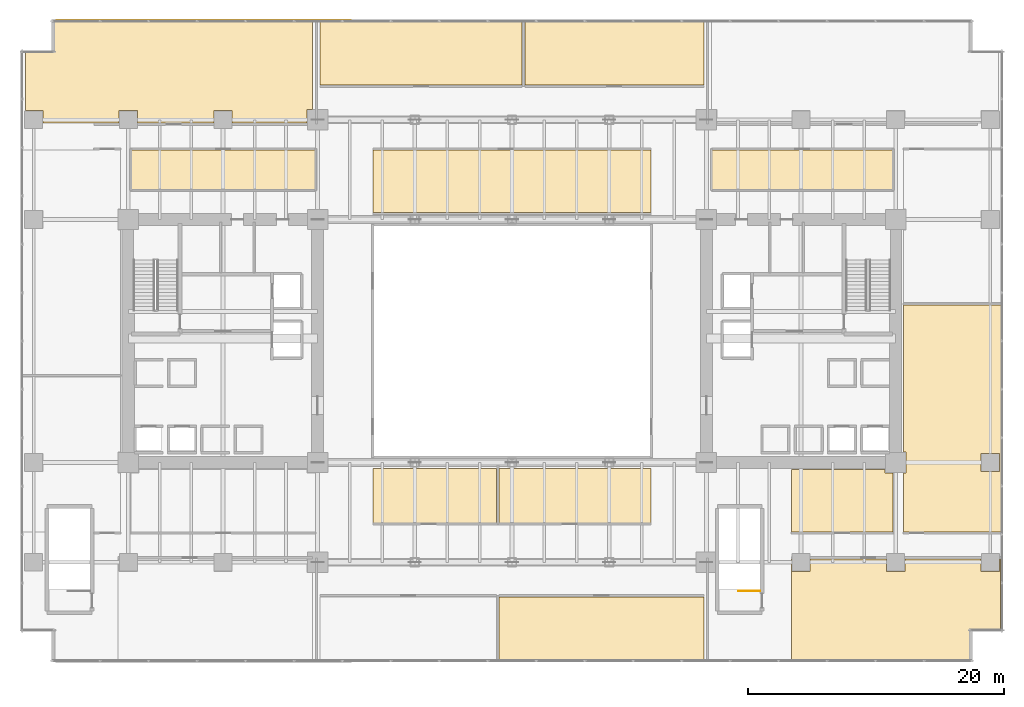
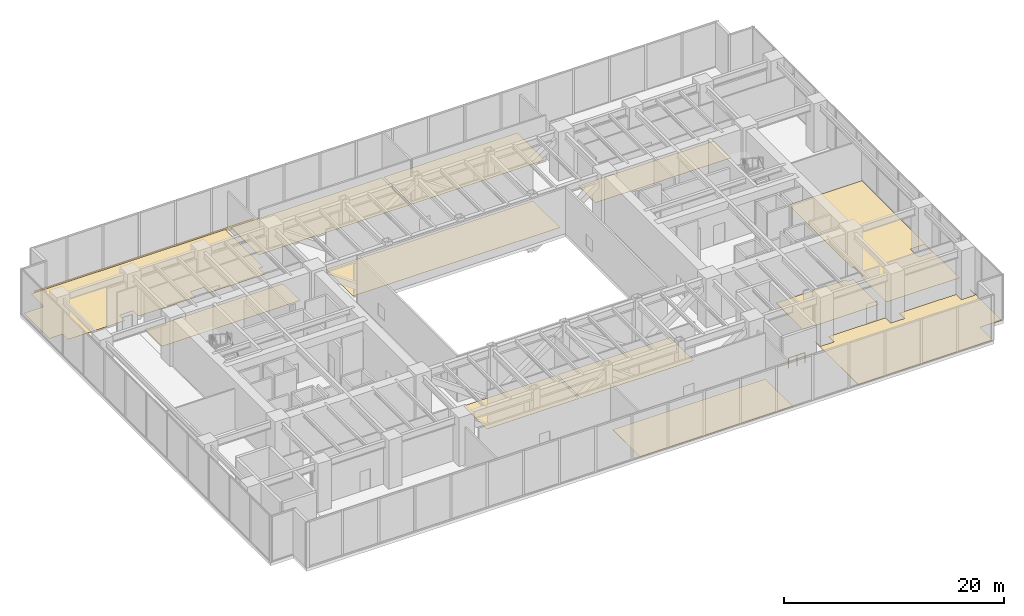
# One storey, part 34 of 35: 13 coverings, 1 railing.
"""IFC4 building model written with IfcOpenShell, lengths in metres."""

from ifc_helpers import new_model, si_unit, direction, frame, frame_2d, origin, origin_2d, place, context, subcontext, project, spatial, polyline, rectangle, circle, outline, extrude, source, transform, mapped, material, layer, layer_set, type_object, type_shapes, element, save


model = new_model("IFC4")

# Units and contexts
model_context = context("Model", 3, precision=1e-05, world=origin(), true_north=direction((0.0, 1.0)))
body_context = subcontext(model_context, "Body", "Model", "MODEL_VIEW")
ifc_project = project(units=[si_unit("LENGTHUNIT", "METRE"), si_unit("AREAUNIT", "SQUARE_METRE"), si_unit("VOLUMEUNIT", "CUBIC_METRE"), si_unit("PLANEANGLEUNIT", "RADIAN"), si_unit("MASSUNIT", "GRAM", prefix="KILO")], contexts=[model_context])

# Site, building, storey
site_placement = place(None, origin())
site = spatial("IfcSite", under=ifc_project, at=site_placement, CompositionType="ELEMENT")
building_placement = place(site_placement, origin())
building = spatial("IfcBuilding", under=site, at=building_placement, Name="Haelvirn Gate Laboratories", CompositionType="ELEMENT")
storey_placement = place(building_placement, frame((0.0, 0.0, 19.800048828125)))
storey = spatial("IfcBuildingStorey", under=building, at=storey_placement, Name="L05", CompositionType="ELEMENT", Elevation=19.800048828125)

# Coverings
ifc_material_1 = material(Name="Anodised bronze honeycomb aluminium spandrel cladding", Category="aluminium")
ifc_layer_1 = layer(ifc_material_1, 0.044921875, Name="COV-CLAD-BRZ")
ifc_layer_set_1 = layer_set([ifc_layer_1], Name="Anodised bronze honeycomb aluminium spandrel cladding")
covering_type_1 = type_object("IfcCoveringType", Name="COV-CLAD-BRZ", PredefinedType="CLADDING", material=ifc_layer_set_1)
covering_1_placement = place(storey_placement, frame((1.800048828125, 49.3701171875, -0.300048828125), z_axis=(0.0, 0.0, 1.0), x_axis=(1.0, 0.0, 0.0)))
element("IfcCovering", 1, at=covering_1_placement, inside=storey, type_object=covering_type_1, Name="L05 Bronze Slab-Edge Spandrel Cladding NW", PredefinedType="CLADDING", context=body_context, shape_type="SweptSolid", body=[
    extrude(rectangle(XDim=23.0, YDim=0.044921875, at=frame_2d((11.5, 0.0))), origin(), (0.0, 0.0, 1.0), 0.449951171875),
])
ifc_material_2 = material(Name="Seamless chemical-resistant epoxy laboratory flooring")
ifc_layer_2 = layer(ifc_material_2, 0.01806640625, Name="COV-FLR-RESIN")
ifc_layer_set_2 = layer_set([ifc_layer_2], Name="Seamless chemical-resistant epoxy laboratory flooring")
covering_type_2 = type_object("IfcCoveringType", Name="COV-FLR-RESIN", PredefinedType="FLOORING", material=ifc_layer_set_2)
covering_2_placement = place(storey_placement, origin())
element("IfcCovering", 2, at=covering_2_placement, inside=storey, type_object=covering_type_2, Name="L05 Seamless Laboratory Flooring FLR-SP-L05-SO-3", PredefinedType="FLOORING", context=body_context, shape_type="SweptSolid", body=[
    extrude(outline(polyline([(52.39990234375, 4.300048828125), (52.39990234375, -0.679931640625), (36.39990234375, -0.679931640625), (36.39990234375, 4.300048828125), (52.39990234375, 4.300048828125)])), origin(), (0.0, 0.0, 1.0), 0.01806640625),
])
covering_3_placement = place(storey_placement, origin())
element("IfcCovering", 3, at=covering_3_placement, inside=storey, type_object=covering_type_2, Name="L05 Seamless Laboratory Flooring FLR-SP-L05-SO-4", PredefinedType="FLOORING", context=body_context, shape_type="SweptSolid", body=[
    extrude(outline(polyline([(60.719970703125, 7.25), (66.679931640625, 7.25), (66.679931640625, 6.280029296875), (68.1201171875, 6.280029296875), (68.1201171875, 7.25), (74.080078125, 7.25), (74.080078125, 6.280029296875), (75.52001953125, 6.280029296875), (75.52001953125, 7.25), (75.60009765625, 7.25), (75.60009765625, 1.639892578125), (73.39990234375, 1.639892578125), (73.39599609375, 1.639892578125), (73.39208984375, 1.63916015625), (73.388427734375, 1.63818359375), (73.384765625, 1.636962890625), (73.381103515625, 1.63525390625), (73.377685546875, 1.63330078125), (73.37451171875, 1.630859375), (73.37158203125, 1.62841796875), (73.369140625, 1.62548828125), (73.36669921875, 1.622314453125), (73.36474609375, 1.618896484375), (73.363037109375, 1.615234375), (73.36181640625, 1.611572265625), (73.36083984375, 1.60791015625), (73.360107421875, 1.60400390625), (73.360107421875, 1.60009765625), (73.360107421875, -0.679931640625), (59.25, -0.679931640625), (59.25, 7.25), (59.280029296875, 7.25), (59.280029296875, 6.280029296875), (60.719970703125, 6.280029296875), (60.719970703125, 7.25)])), origin(), (0.0, 0.0, 1.0), 0.01806640625),
])
covering_4_placement = place(storey_placement, origin())
element("IfcCovering", 4, at=covering_4_placement, inside=storey, type_object=covering_type_2, Name="L05 Seamless Laboratory Flooring FLR-SP-L05-NO-1", PredefinedType="FLOORING", context=body_context, shape_type="SweptSolid", body=[
    extrude(outline(polyline([(8.1201171875, 41.35009765625), (8.1201171875, 42.320068359375), (6.679931640625, 42.320068359375), (6.679931640625, 41.35009765625), (0.719970703125, 41.35009765625), (0.719970703125, 42.320068359375), (-0.64990234375, 42.320068359375), (-0.64990234375, 46.9599609375), (1.39990234375, 46.9599609375), (1.40380859375, 46.960205078125), (1.40771484375, 46.960693359375), (1.41162109375, 46.961669921875), (1.415283203125, 46.962890625), (1.4189453125, 46.964599609375), (1.422119140625, 46.966796875), (1.42529296875, 46.968994140625), (1.42822265625, 46.9716796875), (1.430908203125, 46.974609375), (1.433349609375, 46.977783203125), (1.435302734375, 46.981201171875), (1.43701171875, 46.984619140625), (1.438232421875, 46.98828125), (1.439208984375, 46.9921875), (1.439697265625, 46.99609375), (1.43994140625, 47.0), (1.43994140625, 49.280029296875), (21.800048828125, 49.280029296875), (21.800048828125, 42.419921875), (21.3798828125, 42.419921875), (21.3798828125, 41.35009765625), (15.52001953125, 41.35009765625), (15.52001953125, 42.320068359375), (14.080078125, 42.320068359375), (14.080078125, 41.35009765625), (8.1201171875, 41.35009765625)])), origin(), (0.0, 0.0, 1.0), 0.01806640625),
])
covering_5_placement = place(storey_placement, origin())
element("IfcCovering", 5, at=covering_5_placement, inside=storey, type_object=covering_type_2, Name="L05 Seamless Laboratory Flooring FLR-SP-L05-NO-2", PredefinedType="FLOORING", context=body_context, shape_type="SweptSolid", body=[
    extrude(outline(polyline([(38.199951171875, 49.280029296875), (38.199951171875, 44.300048828125), (22.39990234375, 44.300048828125), (22.39990234375, 49.280029296875), (38.199951171875, 49.280029296875)])), origin(), (0.0, 0.0, 1.0), 0.01806640625),
])
covering_6_placement = place(storey_placement, origin())
element("IfcCovering", 6, at=covering_6_placement, inside=storey, type_object=covering_type_2, Name="L05 Seamless Laboratory Flooring FLR-SP-L05-NO-3", PredefinedType="FLOORING", context=body_context, shape_type="SweptSolid", body=[
    extrude(outline(polyline([(52.39990234375, 49.280029296875), (52.39990234375, 44.300048828125), (38.39990234375, 44.300048828125), (38.39990234375, 49.280029296875), (52.39990234375, 49.280029296875)])), origin(), (0.0, 0.0, 1.0), 0.01806640625),
])
covering_7_placement = place(storey_placement, origin())
element("IfcCovering", 7, at=covering_7_placement, inside=storey, type_object=covering_type_2, Name="L05 Seamless Laboratory Flooring FLR-SP-L05-IN-S1", PredefinedType="FLOORING", context=body_context, shape_type="SweptSolid", body=[
    extrude(outline(polyline([(36.199951171875, 14.320068359375), (36.199951171875, 10.080078125), (26.550048828125, 10.080078125), (26.550048828125, 14.320068359375), (36.199951171875, 14.320068359375)])), origin(), (0.0, 0.0, 1.0), 0.01806640625),
])
covering_8_placement = place(storey_placement, origin())
element("IfcCovering", 8, at=covering_8_placement, inside=storey, type_object=covering_type_2, Name="L05 Seamless Laboratory Flooring FLR-SP-L05-IN-S2", PredefinedType="FLOORING", context=body_context, shape_type="SweptSolid", body=[
    extrude(outline(polyline([(48.25, 14.320068359375), (48.25, 10.080078125), (36.39990234375, 10.080078125), (36.39990234375, 14.320068359375), (48.25, 14.320068359375)])), origin(), (0.0, 0.0, 1.0), 0.01806640625),
])
covering_9_placement = place(storey_placement, origin())
element("IfcCovering", 9, at=covering_9_placement, inside=storey, type_object=covering_type_2, Name="L05 Seamless Laboratory Flooring FLR-SP-L05-INC-NW", PredefinedType="FLOORING", context=body_context, shape_type="SweptSolid", body=[
    extrude(outline(polyline([(22.050048828125, 39.25), (22.050048828125, 36.14990234375), (7.60009765625, 36.14990234375), (7.60009765625, 39.25), (22.050048828125, 39.25)])), origin(), (0.0, 0.0, 1.0), 0.01806640625),
])
covering_10_placement = place(storey_placement, origin())
element("IfcCovering", 10, at=covering_10_placement, inside=storey, type_object=covering_type_2, Name="L05 Seamless Laboratory Flooring FLR-SP-L05-INC-NE", PredefinedType="FLOORING", context=body_context, shape_type="SweptSolid", body=[
    extrude(outline(polyline([(67.199951171875, 39.25), (67.199951171875, 36.14990234375), (53.0, 36.14990234375), (53.0, 39.25), (67.199951171875, 39.25)])), origin(), (0.0, 0.0, 1.0), 0.01806640625),
])
covering_11_placement = place(storey_placement, origin())
element("IfcCovering", 11, at=covering_11_placement, inside=storey, type_object=covering_type_2, Name="L05 Seamless Laboratory Flooring FLR-SP-L05-INC-E", PredefinedType="FLOORING", context=body_context, shape_type="SweptSolid", body=[
    extrude(outline(polyline([(66.580078125, 13.97998046875), (67.199951171875, 13.97998046875), (67.199951171875, 9.360107421875), (59.25, 9.360107421875), (59.25, 14.25), (66.580078125, 14.25), (66.580078125, 13.97998046875)])), origin(), (0.0, 0.0, 1.0), 0.01806640625),
])
covering_12_placement = place(storey_placement, origin())
element("IfcCovering", 12, at=covering_12_placement, inside=storey, type_object=covering_type_2, Name="L05 Seamless Laboratory Flooring FLR-SP-L05-IN-N1", PredefinedType="FLOORING", context=body_context, shape_type="SweptSolid", body=[
    extrude(outline(polyline([(48.25, 39.25), (48.25, 34.360107421875), (26.550048828125, 34.360107421875), (26.550048828125, 39.25), (48.25, 39.25)])), origin(), (0.0, 0.0, 1.0), 0.01806640625),
])
covering_13_placement = place(storey_placement, origin())
element("IfcCovering", 13, at=covering_13_placement, inside=storey, type_object=covering_type_2, Name="L05 Seamless Laboratory Flooring FLR-SP-L05-WING-E-S", PredefinedType="FLOORING", context=body_context, shape_type="SweptSolid", body=[
    extrude(outline(polyline([(68.0, 15.6201171875), (68.0, 27.10009765625), (75.64990234375, 27.10009765625), (75.64990234375, 9.35009765625), (68.0, 9.35009765625), (68.0, 13.97998046875), (68.219970703125, 13.97998046875), (68.219970703125, 15.6201171875), (68.0, 15.6201171875)]), holes=[polyline([(74.080078125, 14.080078125), (75.52001953125, 14.080078125), (75.52001953125, 15.52001953125), (74.080078125, 15.52001953125), (74.080078125, 14.080078125)])]), origin(), (0.0, 0.0, 1.0), 0.01806640625),
])

# Railing
ifc_material_3 = material(Name="Galvanised steel SM355 & stainless top rail", Category="steel")
railing_type = type_object("IfcRailingType", Name="RL-GUARD-1150", PredefinedType="GUARDRAIL", material=ifc_material_3)
shared_shape = source(origin(), body_context, "Body", "SweptSolid", [
    extrude(circle(Radius=0.02392578125, at=origin_2d()), frame((0.0, 0.0, 1.1259765625), z_axis=(-1.0, 0.0, 0.0), x_axis=(0.0, -1.0, 0.0)), (0.0, 0.0, 1.0), 1.699951171875),
    extrude(circle(Radius=0.02099609375, at=origin_2d()), origin(), (0.0, 0.0, 1.0), 1.101806640625),
    extrude(circle(Radius=0.02099609375, at=origin_2d()), frame((-0.85009765625, 0.0, 0.0)), (0.0, 0.0, 1.0), 1.101806640625),
    extrude(circle(Radius=0.02099609375, at=origin_2d()), frame((-1.699951171875, 0.0, 0.0)), (0.0, 0.0, 1.0), 1.101806640625),
])
type_shapes(railing_type, [shared_shape])
railing_placement = place(storey_placement, frame((56.800048828125, 4.75, 0.0)))
element("IfcRailing", 14, at=railing_placement, inside=storey, type_object=railing_type, Name="L05 ST4 top well guard 1", PredefinedType="GUARDRAIL", context=body_context, shape_type="MappedRepresentation", body=[
    mapped(shared_shape, transform((0.0, 0.0, 0.0), scale=1.0)),
])

save(model, "model.ifc")
